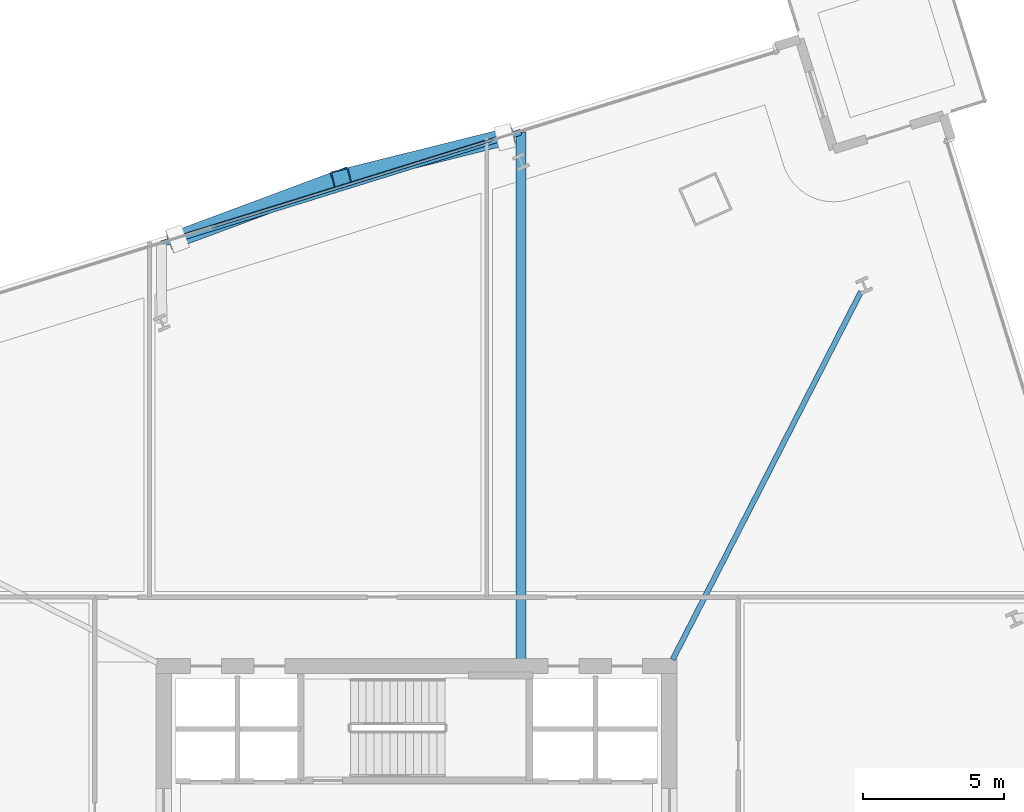
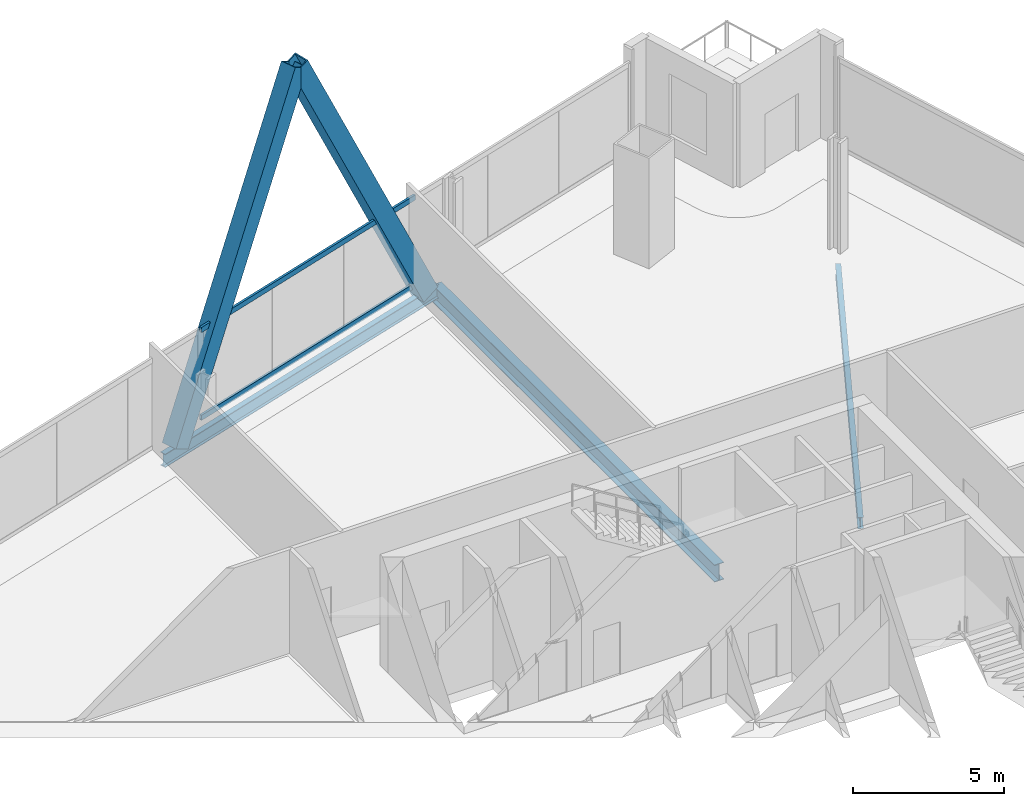
# One storey, part 12 of 26: 4 members, 3 beams, 1 element without a shape of its own.
"""IFC4 building model written with IfcOpenShell, lengths in metres."""

from ifc_helpers import new_model, si_unit, direction, frame, origin, origin_2d, place, context, subcontext, project, spatial, hollow_rectangle, i_section, extrude, material, material_profile, profile_set, type_object, element, aggregate, save


model = new_model("IFC4")

# Units and contexts
model_context = context("Model", 3, precision=1e-05, world=origin(), true_north=direction((0.0, 1.0)))
body_context = subcontext(model_context, "Body", "Model", "MODEL_VIEW")
ifc_project = project(units=[si_unit("LENGTHUNIT", "METRE"), si_unit("AREAUNIT", "SQUARE_METRE"), si_unit("VOLUMEUNIT", "CUBIC_METRE"), si_unit("PLANEANGLEUNIT", "RADIAN"), si_unit("MASSUNIT", "GRAM", prefix="KILO")], contexts=[model_context])

# Site, building, storey
site_placement = place(None, origin())
site = spatial("IfcSite", under=ifc_project, at=site_placement, CompositionType="ELEMENT")
building_placement = place(site_placement, origin())
building = spatial("IfcBuilding", under=site, at=building_placement, Name="Haldenkirk Collegiate Tower", CompositionType="ELEMENT")
storey_placement = place(building_placement, frame((0.0, 0.0, 85.949951171875)))
storey = spatial("IfcBuildingStorey", under=building, at=storey_placement, Name="L20", CompositionType="ELEMENT", Elevation=85.949951171875)

# Beams
ifc_material_1 = material(Name="Steel ASTM A992 Grade 50", Category="steel")
ifc_material_profile_1 = material_profile(ifc_material_1, i_section(OverallWidth=0.35498046875, OverallDepth=0.696044921875, WebThickness=0.015380859375, FlangeThickness=0.02490234375, at=origin_2d()), Name="W27X146")
ifc_profile_set_1 = profile_set([ifc_material_profile_1], Name="Steel ASTM A992 Grade 50")
beam_type_1 = type_object("IfcBeamType", Name="BM-GIRDER-W27X146", PredefinedType="BEAM", material=ifc_profile_set_1)
beam_1_placement = place(storey_placement, frame((39.71630859375, 52.996337890625, -0.758056640625), z_axis=(0.0, -1.0, 0.0), x_axis=(1.0, 0.0, 0.0)))
element("IfcBeam", 1, at=beam_1_placement, inside=storey, type_object=beam_type_1, Name="L20 primary floor girder 11", PredefinedType="BEAM", context=body_context, shape_type="SweptSolid", body=[
    extrude(i_section(OverallWidth=0.35498046875, OverallDepth=0.696044921875, WebThickness=0.015380859375, FlangeThickness=0.02490234375, at=origin_2d()), origin(), (0.0, 0.0, 1.0), 18.741455078125),
])
ifc_material_profile_2 = material_profile(ifc_material_1, i_section(OverallWidth=0.19189453125, OverallDepth=0.462890625, WebThickness=0.010498046875, FlangeThickness=0.017578125, at=origin_2d()), Name="W18X60")
ifc_profile_set_2 = profile_set([ifc_material_profile_2], Name="Steel ASTM A992 Grade 50")
beam_type_2 = type_object("IfcBeamType", Name="BM-JOIST-W18X60", PredefinedType="JOIST", material=ifc_profile_set_2)
beam_2_placement = place(storey_placement, frame((51.818603515625, 47.32470703125, -0.641357421875), z_axis=(-0.455544005291, -0.890213266158, 0.0), x_axis=(0.890213266158, -0.455544005291, 0.0)))
element("IfcBeam", 2, at=beam_2_placement, inside=storey, type_object=beam_type_2, Name="L20 composite floor joist 10", PredefinedType="JOIST", context=body_context, shape_type="SweptSolid", body=[
    extrude(i_section(OverallWidth=0.19189453125, OverallDepth=0.462890625, WebThickness=0.010498046875, FlangeThickness=0.017578125, at=origin_2d()), origin(), (0.0, 0.0, 1.0), 14.712890625),
])
ifc_material_profile_3 = material_profile(ifc_material_1, i_section(OverallWidth=0.2119140625, OverallDepth=0.5439453125, WebThickness=0.01318359375, FlangeThickness=0.021240234375, at=origin_2d()), Name="W21X83")
ifc_profile_set_3 = profile_set([ifc_material_profile_3], Name="Steel ASTM A992 Grade 50")
beam_type_3 = type_object("IfcBeamType", Name="BM-SPANDREL-W21X83", PredefinedType="SPANDREL", material=ifc_profile_set_3)
beam_3_placement = place(storey_placement, frame((39.71630859375, 52.996337890625, -0.681884765625), z_axis=(-0.955016444675, -0.296552845881, 0.0), x_axis=(0.296552845881, -0.955016444675, 0.0)))
element("IfcBeam", 3, at=beam_3_placement, inside=storey, type_object=beam_type_3, Name="L20 outer facade edge beam 3", PredefinedType="SPANDREL", context=body_context, shape_type="SweptSolid", body=[
    extrude(i_section(OverallWidth=0.2119140625, OverallDepth=0.5439453125, WebThickness=0.01318359375, FlangeThickness=0.021240234375, at=origin_2d()), origin(), (0.0, 0.0, 1.0), 13.395263671875),
])

# Curtain wall, members
ifc_material_2 = material(Name="Anodised architectural bronze aluminium", Category="aluminium")
curtain_wall_type = type_object("IfcCurtainWallType", Name="CW-SYS4-SKYGARDEN", PredefinedType="USERDEFINED", material=ifc_material_2)
curtain_wall_placement = place(storey_placement, origin())
curtain_wall = element("IfcCurtainWall", 4, at=curtain_wall_placement, inside=storey, type_object=curtain_wall_type, Name="L20 Sky-garden tall bronze curtain wall", ObjectType="UNITISED CURTAIN WALL", PredefinedType="USERDEFINED")
ifc_material_profile_4 = material_profile(ifc_material_2, hollow_rectangle(XDim=0.090087890625, YDim=0.2099609375, WallThickness=0.0048828125, at=origin_2d()), Name="CW-TRN-04")
ifc_profile_set_4 = profile_set([ifc_material_profile_4], Name="Anodised architectural bronze aluminium")
member_type_1 = type_object("IfcMemberType", Name="CW-TRN-04", PredefinedType="USERDEFINED", material=ifc_profile_set_4)
member_1_placement = place(storey_placement, frame((28.712646484375, 49.621337890625, 0.045166015625), z_axis=(0.955020382089, 0.296540165566, 0.0), x_axis=(-0.296540165566, 0.955020382089, 0.0)))
member_1 = element("IfcMember", 5, at=member_1_placement, type_object=member_type_1, Name="CW-04 transom 3.1", ObjectType="TRANSOM", PredefinedType="USERDEFINED", context=body_context, shape_type="SweptSolid", body=[
    extrude(hollow_rectangle(XDim=0.090087890625, YDim=0.2099609375, WallThickness=0.0048828125, at=origin_2d()), origin(), (0.0, 0.0, 1.0), 10.4599609375),
])
member_2_placement = place(storey_placement, frame((28.712646484375, 49.621337890625, 3.60595703125), z_axis=(0.955020382089, 0.296540165566, 0.0), x_axis=(-0.296540165566, 0.955020382089, 0.0)))
member_2 = element("IfcMember", 6, at=member_2_placement, type_object=member_type_1, Name="CW-04 transom 3.2", ObjectType="TRANSOM", PredefinedType="USERDEFINED", context=body_context, shape_type="SweptSolid", body=[
    extrude(hollow_rectangle(XDim=0.090087890625, YDim=0.2099609375, WallThickness=0.0048828125, at=origin_2d()), origin(), (0.0, 0.0, 1.0), 10.4599609375),
])
aggregate(curtain_wall, [member_1, member_2])

# Members
ifc_material_3 = material(Name="Steel ASTM A572 Grade 50", Category="steel")
ifc_material_profile_5 = material_profile(ifc_material_3, hollow_rectangle(XDim=0.60009765625, YDim=0.719970703125, WallThickness=0.044921875, at=origin_2d()), Name="BOX720X600X45")
ifc_profile_set_5 = profile_set([ifc_material_profile_5], Name="Steel ASTM A572 Grade 50")
member_type_2 = type_object("IfcMemberType", Name="MBR-MEGABRACE-BOX720X600X45", PredefinedType="BRACE", material=ifc_profile_set_5)
member_3_placement = place(storey_placement, frame((39.143310546875, 52.818359375, -0.419921875), z_axis=(-0.430872874268, -0.107122092253, 0.896032043831), x_axis=(0.241271740293, -0.970457596877, 0.0)))
element("IfcMember", 7, at=member_3_placement, inside=storey, type_object=member_type_2, Name="Perimeter Mega Brace Z2 L20-L22 NL", PredefinedType="BRACE", context=body_context, shape_type="SweptSolid", body=[
    extrude(hollow_rectangle(XDim=0.60009765625, YDim=0.719970703125, WallThickness=0.044921875, at=origin_2d()), origin(), (0.0, 0.0, 1.0), 13.514892578125),
])
member_4_placement = place(storey_placement, frame((27.49658203125, 49.201904296875, -0.419921875), z_axis=(0.427844856527, 0.159331985936, 0.889697755983), x_axis=(-0.348991316932, 0.937125957759, 0.0)))
element("IfcMember", 8, at=member_4_placement, inside=storey, type_object=member_type_2, Name="Perimeter Mega Brace Z2 L20-L22 NR", PredefinedType="BRACE", context=body_context, shape_type="SweptSolid", body=[
    extrude(hollow_rectangle(XDim=0.60009765625, YDim=0.719970703125, WallThickness=0.044921875, at=origin_2d()), origin(), (0.0, 0.0, 1.0), 13.611328125),
])

save(model, "model.ifc")
